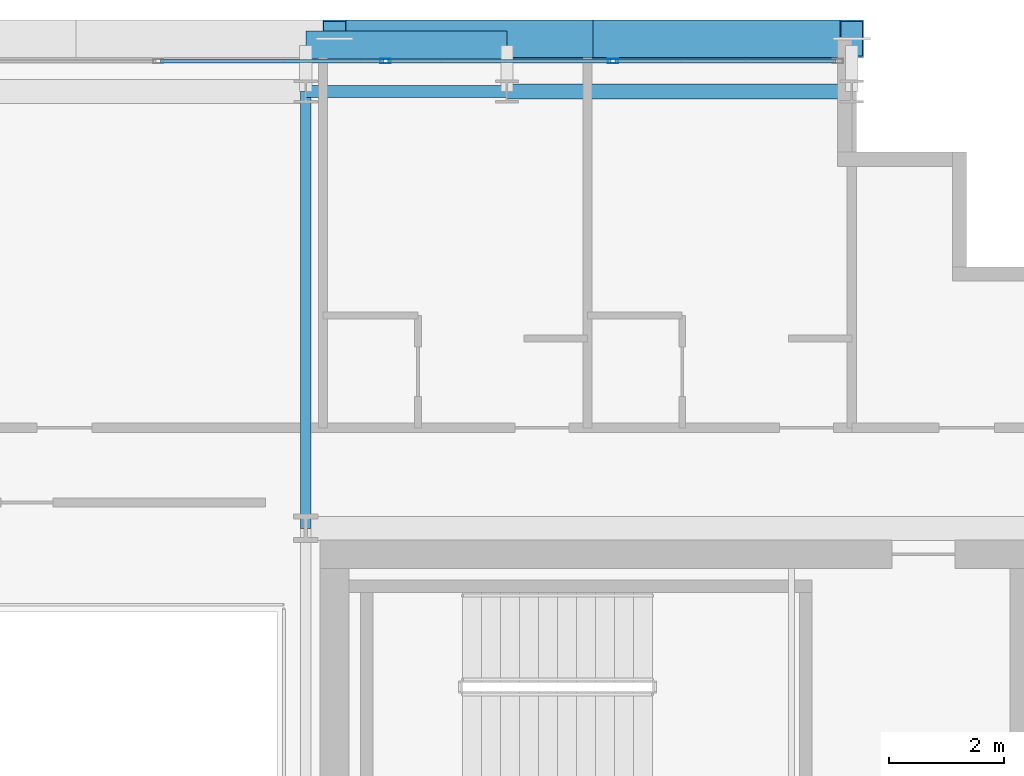
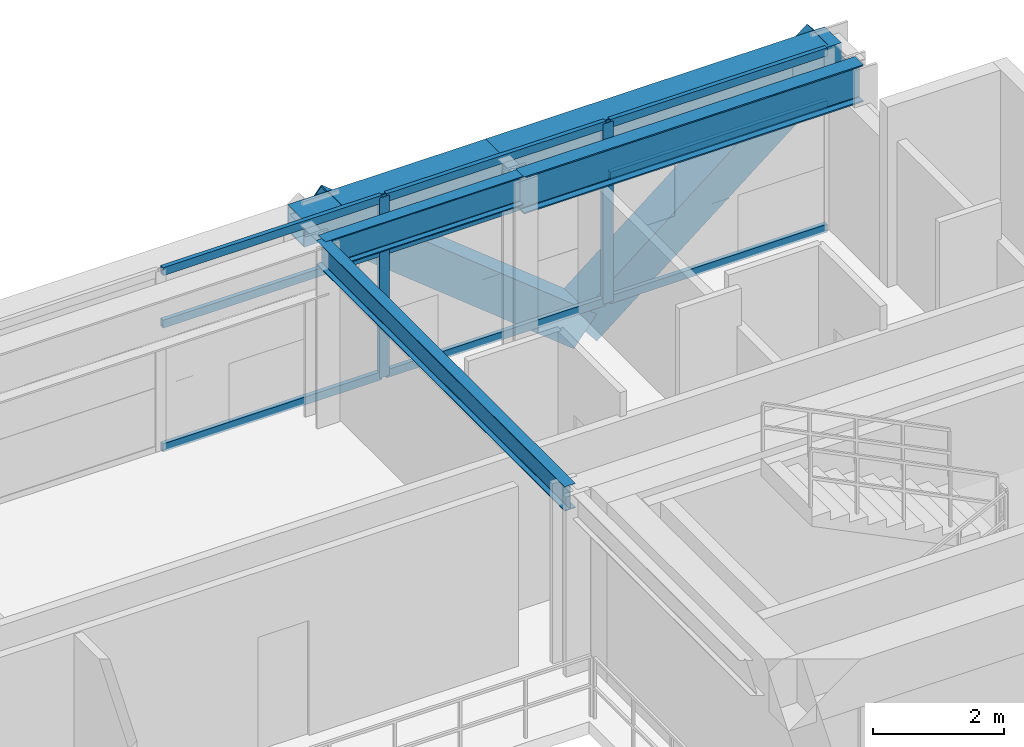
# One storey, part 18 of 32: 13 members, 5 beams, 1 element without a shape of its own.
"""IFC4 building model written with IfcOpenShell, lengths in metres."""

import ifcopenshell
import ifcopenshell.guid

model = None  # the IFC model being written
_history = None  # IfcOwnerHistory: only IFC2X3 demands one
_inside = {}  # id of a spatial element -> (the spatial element, [elements in it])
_under = {}  # id of a project, library or spatial element -> (it, [spatial elements below it])
_declared = {}  # id of a project -> (the project, [libraries it declares])
_typed = {}  # id of a type object -> (the type object, [elements of that type])
_made_of = {}  # id of a material, layer set ... -> (it, [elements and type objects made of it])


def new_model(schema):
    """Start an empty IFC model of exactly this schema.

    Asked for "IFC4X3", IfcOpenShell would pick the latest addendum, in which some entities
    have other attributes; the version numbers below select the first issue.
    IFC2X3 requires an IfcOwnerHistory on every rooted entity: one is made here for all.
    """
    global model, _history
    if schema == "IFC4X3":
        model = ifcopenshell.file(schema_version=(4, 3, 0, 0))
    else:
        model = ifcopenshell.file(schema=schema)
    _inside.clear()
    _under.clear()
    _declared.clear()
    _typed.clear()
    _made_of.clear()
    _history = None
    if model.schema == "IFC2X3":
        org = make("IfcOrganization", Name="unknown")
        user = make(
            "IfcPersonAndOrganization",
            ThePerson=make("IfcPerson", FamilyName="unknown"),
            TheOrganization=org,
        )
        app = make(
            "IfcApplication",
            ApplicationDeveloper=org,
            Version="unknown",
            ApplicationFullName="unknown",
            ApplicationIdentifier="unknown",
        )
        _history = make(
            "IfcOwnerHistory",
            OwningUser=user,
            OwningApplication=app,
            ChangeAction="ADDED",
            CreationDate=0,
        )
    return model


def make(cls, **values):
    """One entity of the class cls with the attributes given. An attribute that is None is left unset."""
    return model.create_entity(
        cls, **{name: value for name, value in values.items() if value is not None}
    )


def rooted(cls, **values):
    """An entity with a GlobalId (a new one), such as an element, a storey or a relation."""
    return make(cls, GlobalId=ifcopenshell.guid.new(), OwnerHistory=_history, **values)


def si_unit(unit_type, name, prefix=None):
    """IfcSIUnit, for example si_unit("LENGTHUNIT", "METRE", prefix="MILLI")."""
    return make("IfcSIUnit", UnitType=unit_type, Prefix=prefix, Name=name)


def assignment(units):
    """IfcUnitAssignment: the units of a project."""
    return None if units is None else make("IfcUnitAssignment", Units=units)


def point(xyz):
    """IfcCartesianPoint."""
    return None if xyz is None else make("IfcCartesianPoint", Coordinates=xyz)


def direction(xyz):
    """IfcDirection."""
    return None if xyz is None else make("IfcDirection", DirectionRatios=xyz)


def frame(location, z_axis=None, x_axis=None):
    """IfcAxis2Placement3D, a coordinate frame: its origin and axes. An axis left out is left unset."""
    return make(
        "IfcAxis2Placement3D",
        Location=point(location),
        Axis=direction(z_axis),
        RefDirection=direction(x_axis),
    )


def frame_2d(location, x_axis=None):
    """IfcAxis2Placement2D, a coordinate frame in the plane: its origin and x axis."""
    return make(
        "IfcAxis2Placement2D", Location=point(location), RefDirection=direction(x_axis)
    )


def origin():
    """The frame at (0, 0, 0) with its axes left unset."""
    return frame((0.0, 0.0, 0.0))


def origin_2d():
    """The frame at (0, 0) in the plane with its x axis left unset."""
    return frame_2d((0.0, 0.0))


def place(relative_to, where):
    """IfcLocalPlacement: puts the frame where relative to a parent placement (None: the world)."""
    return make(
        "IfcLocalPlacement", PlacementRelTo=relative_to, RelativePlacement=where
    )


def context(
    kind, dimensions, precision=None, world=None, true_north=None, identifier=None
):
    """IfcGeometricRepresentationContext, for example the 3D "Model" context."""
    return make(
        "IfcGeometricRepresentationContext",
        ContextIdentifier=identifier,
        ContextType=kind,
        CoordinateSpaceDimension=dimensions,
        Precision=precision,
        WorldCoordinateSystem=world,
        TrueNorth=true_north,
    )


def subcontext(parent, identifier, kind, view, scale=None):
    """IfcGeometricRepresentationSubContext, for example "Body" below "Model"."""
    return make(
        "IfcGeometricRepresentationSubContext",
        ContextIdentifier=identifier,
        ContextType=kind,
        ParentContext=parent,
        TargetScale=scale,
        TargetView=view,
    )


def project(units=None, contexts=None):
    """IfcProject with its units and contexts."""
    return rooted(
        "IfcProject",
        Name="project",
        RepresentationContexts=contexts,
        UnitsInContext=assignment(units),
    )


def spatial(cls, under=None, at=None, **own):
    """A site, building, storey or space (cls), placed at a placement, below another one or the project."""
    s = rooted(cls, ObjectPlacement=at, **own)
    if under is not None:
        _under.setdefault(under.id(), (under, []))[1].append(s)
    return s


def profile(cls, at=None, kind="AREA", **sizes):
    """A parametric profile (cls). Its sizes go by their IFC names, for example OverallWidth=200.0."""
    return make(cls, ProfileType=kind, Position=at, **sizes)


def hollow_rectangle(**sizes):
    """IfcRectangleHollowProfileDef."""
    return profile("IfcRectangleHollowProfileDef", **sizes)


def i_section(**sizes):
    """IfcIShapeProfileDef."""
    return profile("IfcIShapeProfileDef", **sizes)


def extrude(swept, where, along, depth):
    """IfcExtrudedAreaSolid: the profile swept, set in the frame where, extruded along a direction by depth."""
    return make(
        "IfcExtrudedAreaSolid",
        SweptArea=swept,
        Position=where,
        ExtrudedDirection=direction(along),
        Depth=depth,
    )


def shape(context_of_items, identifier, shape_type, items):
    """IfcShapeRepresentation: the items that make up one representation, for example the "Body"."""
    return make(
        "IfcShapeRepresentation",
        ContextOfItems=context_of_items,
        RepresentationIdentifier=identifier,
        RepresentationType=shape_type,
        Items=items,
    )


def source(mapping_origin, context_of_items, identifier, shape_type, items):
    """IfcRepresentationMap: a shape defined once, which mapped items show again and again."""
    return make(
        "IfcRepresentationMap",
        MappingOrigin=mapping_origin,
        MappedRepresentation=shape(context_of_items, identifier, shape_type, items),
    )


def transform(
    local_origin,
    x_axis=None,
    y_axis=None,
    z_axis=None,
    scale=None,
    scale2=None,
    scale3=None,
    uniform=True,
):
    """IfcCartesianTransformationOperator3D, or its non-uniform kind. x_axis, y_axis, z_axis: its Axis1, 2, 3."""
    if uniform:
        return make(
            "IfcCartesianTransformationOperator3D",
            Axis1=direction(x_axis),
            Axis2=direction(y_axis),
            LocalOrigin=point(local_origin),
            Scale=scale,
            Axis3=direction(z_axis),
        )
    return make(
        "IfcCartesianTransformationOperator3DnonUniform",
        Axis1=direction(x_axis),
        Axis2=direction(y_axis),
        LocalOrigin=point(local_origin),
        Scale=scale,
        Axis3=direction(z_axis),
        Scale2=scale2,
        Scale3=scale3,
    )


def mapped(mapping_source, mapping_target):
    """IfcMappedItem: shows the shape of a source again, moved by a transform."""
    return make(
        "IfcMappedItem", MappingSource=mapping_source, MappingTarget=mapping_target
    )


def material(Name=None, Category=None):
    """IfcMaterial."""
    return make("IfcMaterial", Name=Name, Category=Category)


def layer(
    of_material, thickness, ventilated=None, Name=None, Category=None, Priority=None
):
    """IfcMaterialLayer: one layer of a wall or slab, of a material (None: an air gap)."""
    return make(
        "IfcMaterialLayer",
        Material=of_material,
        LayerThickness=thickness,
        IsVentilated=ventilated,
        Name=Name,
        Category=Category,
        Priority=Priority,
    )


def layer_set(layers, Name=None):
    """IfcMaterialLayerSet."""
    return make("IfcMaterialLayerSet", MaterialLayers=layers, LayerSetName=Name)


def material_profile(
    of_material, cross_section, Name=None, Category=None, Priority=None
):
    """IfcMaterialProfile: a cross section and its material."""
    return make(
        "IfcMaterialProfile",
        Name=Name,
        Material=of_material,
        Profile=cross_section,
        Priority=Priority,
        Category=Category,
    )


def profile_set(profiles, Name=None, composite=None):
    """IfcMaterialProfileSet."""
    return make(
        "IfcMaterialProfileSet",
        Name=Name,
        MaterialProfiles=profiles,
        CompositeProfile=composite,
    )


def made_of(thing, what):
    """Note that an element or type object is made of a material, layer set ...; save() writes the relation."""
    if what is not None:
        _made_of.setdefault(what.id(), (what, []))[1].append(thing)
    return thing


def type_object(cls, material=None, **own):
    """A type object (cls), such as IfcWallType, which elements share."""
    return made_of(rooted(cls, **own), material)


def element(
    cls,
    number,
    at=None,
    inside=None,
    cuts=None,
    type_object=None,
    material=None,
    context=None,
    identifier="Body",
    shape_type=None,
    held_by="IfcProductDefinitionShape",
    body=None,
    shapes=None,
    **own,
):
    """One element of the class cls, such as IfcWall. Its Tag is "e" and its number.

    at: its placement. inside: the storey or other place that contains it. cuts: it is an
    opening in that element (IfcRelVoidsElement). A single representation is given by context,
    identifier, shape_type and body (its items); several are given by shapes. held_by: the class
    of the entity that holds the representations. save() writes the other relations.
    """
    e = rooted(cls, Tag="e%d" % number, ObjectPlacement=at, **own)
    if body is not None:
        shapes = [shape(context, identifier, shape_type, body)]
    if shapes is not None:
        e.Representation = make(held_by, Representations=shapes)
    if inside is not None:
        _inside.setdefault(inside.id(), (inside, []))[1].append(e)
    if cuts is not None:
        rooted(
            "IfcRelVoidsElement", RelatingBuildingElement=cuts, RelatedOpeningElement=e
        )
    if type_object is not None:
        _typed.setdefault(type_object.id(), (type_object, []))[1].append(e)
    return made_of(e, material)


def aggregate(whole, parts):
    """IfcRelAggregates: a whole, such as a stair, and the parts it consists of."""
    return rooted("IfcRelAggregates", RelatingObject=whole, RelatedObjects=parts)


def save(model, path):
    """Write the relations noted so far, then the file.

    IfcRelAggregates (storeys below a building ...), IfcRelContainedInSpatialStructure (elements
    in a storey), IfcRelDefinesByType, IfcRelAssociatesMaterial and IfcRelDeclares: one each for
    every whole, place, type object, material and project.
    """
    for whole, parts in _under.values():
        aggregate(whole, parts)
    for where, things in _inside.values():
        rooted(
            "IfcRelContainedInSpatialStructure",
            RelatedElements=things,
            RelatingStructure=where,
        )
    for kind, things in _typed.values():
        rooted("IfcRelDefinesByType", RelatedObjects=things, RelatingType=kind)
    for what, things in _made_of.values():
        rooted("IfcRelAssociatesMaterial", RelatedObjects=things, RelatingMaterial=what)
    for by, libraries in _declared.values():
        rooted("IfcRelDeclares", RelatingContext=by, RelatedDefinitions=libraries)
    model.write(path)


model = new_model("IFC4")

# Units and contexts
model_context = context("Model", 3, precision=1e-05, world=origin(), true_north=direction((0.0, 1.0)))
body_context = subcontext(model_context, "Body", "Model", "MODEL_VIEW")
ifc_project = project(units=[si_unit("LENGTHUNIT", "METRE"), si_unit("AREAUNIT", "SQUARE_METRE"), si_unit("VOLUMEUNIT", "CUBIC_METRE"), si_unit("PLANEANGLEUNIT", "RADIAN"), si_unit("MASSUNIT", "GRAM", prefix="KILO")], contexts=[model_context])

# Site, building, storey
site_placement = place(None, origin())
site = spatial("IfcSite", under=ifc_project, at=site_placement, CompositionType="ELEMENT")
building_placement = place(site_placement, origin())
building = spatial("IfcBuilding", under=site, at=building_placement, Name="Ocotamira Hotel", CompositionType="ELEMENT")
storey_placement = place(building_placement, frame((0.0, 0.0, 177.60009765625)))
storey = spatial("IfcBuildingStorey", under=building, at=storey_placement, Name="L44", CompositionType="ELEMENT", Elevation=177.60009765625)

# Beams
ifc_material_1 = material(Name="Steel ASTM A992 Grade 50", Category="steel")
ifc_material_profile_1 = material_profile(ifc_material_1, i_section(OverallWidth=0.256103515625, OverallDepth=0.693115234375, WebThickness=0.014404296875, FlangeThickness=0.023681640625, FilletRadius=0.01611328125, at=origin_2d()), Name="W27X114")
ifc_profile_set_1 = profile_set([ifc_material_profile_1], Name="Steel ASTM A992 Grade 50")
beam_type_1 = type_object("IfcBeamType", Name="BM-PRIM-W27X114", PredefinedType="BEAM", material=ifc_profile_set_1)
shared_shape_1 = source(origin(), body_context, "Body", "SweptSolid", [
    extrude(i_section(OverallWidth=0.256103515625, OverallDepth=0.693115234375, WebThickness=0.014404296875, FlangeThickness=0.023681640625, FilletRadius=0.01611328125, at=origin_2d()), origin(), (0.0, 0.0, 1.0), 6.0),
])
beam_1_placement = place(storey_placement, frame((44.0, 45.050048828125, 3.0234375), z_axis=(1.0, 0.0, 0.0), x_axis=(0.0, 1.0, 0.0)))
element("IfcBeam", 1, at=beam_1_placement, inside=storey, type_object=beam_type_1, Name="L44 Girder Y45.05 X44-50", PredefinedType="BEAM", context=body_context, shape_type="MappedRepresentation", body=[
    mapped(shared_shape_1, transform((0.0, 0.0, 0.0), scale=1.0)),
])
ifc_material_profile_2 = material_profile(ifc_material_1, i_section(OverallWidth=0.2099609375, OverallDepth=0.537109375, WebThickness=0.010986328125, FlangeThickness=0.017333984375, FilletRadius=0.012939453125, at=origin_2d()), Name="W21X68")
ifc_profile_set_2 = profile_set([ifc_material_profile_2], Name="Steel ASTM A992 Grade 50")
beam_type_2 = type_object("IfcBeamType", Name="BM-SEC-W21X68", PredefinedType="JOIST", material=ifc_profile_set_2)
shared_shape_2 = source(origin(), body_context, "Body", "SweptSolid", [
    extrude(i_section(OverallWidth=0.2099609375, OverallDepth=0.537109375, WebThickness=0.010986328125, FlangeThickness=0.017333984375, FilletRadius=0.012939453125, at=origin_2d()), origin(), (0.0, 0.0, 1.0), 3.5),
])
beam_2_placement = place(storey_placement, frame((40.5, 45.050048828125, 3.101318359375), z_axis=(1.0, 0.0, 0.0), x_axis=(0.0, 1.0, 0.0)))
element("IfcBeam", 2, at=beam_2_placement, inside=storey, type_object=beam_type_2, Name="L44 Girder Y45.05 X40.5-44", PredefinedType="JOIST", context=body_context, shape_type="MappedRepresentation", body=[
    mapped(shared_shape_2, transform((0.0, 0.0, 0.0), scale=1.0)),
])
ifc_material_2 = material(Name="Steel ASTM A500 Grade C", Category="steel")
ifc_material_profile_3 = material_profile(ifc_material_2, hollow_rectangle(XDim=0.5, YDim=0.5, WallThickness=0.02001953125, at=origin_2d()), Name="HSS500X500X20")
ifc_profile_set_3 = profile_set([ifc_material_profile_3], Name="Steel ASTM A500 Grade C")
beam_type_3 = type_object("IfcBeamType", Name="BM-SPAN-HSS500", PredefinedType="USERDEFINED", material=ifc_profile_set_3)
shared_shape_3 = source(origin(), body_context, "Body", "SweptSolid", [
    extrude(hollow_rectangle(XDim=0.5, YDim=0.5, WallThickness=0.02001953125, at=origin_2d()), origin(), (0.0, 0.0, 1.0), 6.0),
])
beam_3_placement = place(storey_placement, frame((44.0, 45.85009765625, 3.119873046875), z_axis=(1.0, 0.0, 0.0), x_axis=(0.0, 1.0, 0.0)))
element("IfcBeam", 3, at=beam_3_placement, inside=storey, type_object=beam_type_3, Name="L44 Edge Spandrel N X44-50", ObjectType="SPANDREL", PredefinedType="USERDEFINED", context=body_context, shape_type="MappedRepresentation", body=[
    mapped(shared_shape_3, transform((0.0, 0.0, 0.0), scale=1.0)),
])
shared_shape_4 = source(origin(), body_context, "Body", "SweptSolid", [
    extrude(hollow_rectangle(XDim=0.5, YDim=0.5, WallThickness=0.02001953125, at=origin_2d()), origin(), (0.0, 0.0, 1.0), 3.5),
])
beam_4_placement = place(storey_placement, frame((40.5, 45.85009765625, 3.119873046875), z_axis=(1.0, 0.0, 0.0), x_axis=(0.0, 1.0, 0.0)))
element("IfcBeam", 4, at=beam_4_placement, inside=storey, type_object=beam_type_3, Name="L44 Edge Spandrel N X40.5-44", ObjectType="SPANDREL", PredefinedType="USERDEFINED", context=body_context, shape_type="MappedRepresentation", body=[
    mapped(shared_shape_4, transform((0.0, 0.0, 0.0), scale=1.0)),
])
ifc_material_profile_4 = material_profile(ifc_material_1, i_section(OverallWidth=0.18994140625, OverallDepth=0.45703125, WebThickness=0.009033203125, FlangeThickness=0.014404296875, FilletRadius=0.010009765625, at=origin_2d()), Name="W18X50")
ifc_profile_set_4 = profile_set([ifc_material_profile_4], Name="Steel ASTM A992 Grade 50")
beam_type_4 = type_object("IfcBeamType", Name="BM-SEC-W18X50", PredefinedType="JOIST", material=ifc_profile_set_4)
shared_shape_5 = source(origin(), body_context, "Body", "SweptSolid", [
    extrude(i_section(OverallWidth=0.18994140625, OverallDepth=0.45703125, WebThickness=0.009033203125, FlangeThickness=0.014404296875, FilletRadius=0.010009765625, at=origin_2d()), origin(), (0.0, 0.0, 1.0), 7.60009765625),
])
beam_5_placement = place(storey_placement, frame((40.5, 37.449951171875, 3.141357421875), z_axis=(0.0, 1.0, 0.0), x_axis=(-1.0, 0.0, 0.0)))
element("IfcBeam", 5, at=beam_5_placement, inside=storey, type_object=beam_type_4, Name="L44 Beam X40.5 Y37.45-45.05", PredefinedType="JOIST", context=body_context, shape_type="MappedRepresentation", body=[
    mapped(shared_shape_5, transform((0.0, 0.0, 0.0), scale=1.0)),
])

# Members
ifc_material_3 = material(Name="Pale-metal coated steel ASTM A913 Grade 65", Category="steel")
ifc_material_profile_5 = material_profile(ifc_material_3, hollow_rectangle(XDim=0.64990234375, YDim=0.64990234375, WallThickness=0.02197265625, at=origin_2d()), Name="BOX650X650X22")
ifc_profile_set_5 = profile_set([ifc_material_profile_5], Name="Pale-metal coated steel ASTM A913 Grade 65")
member_type_1 = type_object("IfcMemberType", Name="MEM-EXO-BOX650", PredefinedType="BRACE", material=ifc_profile_set_5)
shared_shape_6 = source(origin(), body_context, "Body", "SweptSolid", [
    extrude(hollow_rectangle(XDim=0.64990234375, YDim=0.64990234375, WallThickness=0.02197265625, at=origin_2d()), origin(), (0.0, 0.0, 1.0), 5.7626953125),
])
for number, where, z_axis, x_axis, name in (
    (6, (45.5, 45.969970703125, -0.47998046875), (-0.780881208953, 0.0, 0.624679547852), (0.0, -1.0, 0.0), "L44 Exoskeleton Diagrid N3.1"),
    (7, (45.5, 45.969970703125, -0.47998046875), (0.780881208953, 0.0, 0.624679547852), (0.0, 1.0, 0.0), "L44 Exoskeleton Diagrid N3.2"),
):
    element("IfcMember", number, at=place(storey_placement, frame(where, z_axis=z_axis, x_axis=x_axis)), inside=storey, type_object=member_type_1, Name=name, PredefinedType="BRACE", context=body_context, shape_type="MappedRepresentation", body=[
        mapped(shared_shape_6, transform((0.0, 0.0, 0.0), scale=1.0)),
    ])

# Curtain wall, members
ifc_material_4 = material(Name="Anodised pale-metal aluminium and solar glass", Category="aluminium")
ifc_layer = layer(ifc_material_4, 0.199951171875)
ifc_layer_set = layer_set([ifc_layer], Name="Anodised pale-metal aluminium and solar glass")
curtain_wall_type = type_object("IfcCurtainWallType", Name="CW-SYS4-Z3", PredefinedType="NOTDEFINED", material=ifc_layer_set)
curtain_wall_placement = place(storey_placement, origin())
curtain_wall = element("IfcCurtainWall", 8, at=curtain_wall_placement, inside=storey, type_object=curtain_wall_type, Name="L44 Curtain Wall CW-4 CW-L44-N", PredefinedType="NOTDEFINED")
ifc_material_5 = material(Name="Anodised pale-metal aluminium 6063-T6", Category="aluminium")
ifc_material_profile_6 = material_profile(ifc_material_5, hollow_rectangle(XDim=0.074951171875, YDim=0.14990234375, WallThickness=0.006103515625, at=origin_2d()), Name="HSS150X75X6")
ifc_profile_set_6 = profile_set([ifc_material_profile_6], Name="Anodised pale-metal aluminium 6063-T6")
member_type_2 = type_object("IfcMemberType", Name="CWT-150X75", PredefinedType="USERDEFINED", material=ifc_profile_set_6)
shared_shape_7 = source(origin(), body_context, "Body", "SweptSolid", [
    extrude(hollow_rectangle(XDim=0.074951171875, YDim=0.14990234375, WallThickness=0.006103515625, at=origin_2d()), origin(), (0.0, 0.0, 1.0), 3.83544921875),
])
member_1_placement = place(storey_placement, frame((45.884521484375, 45.580078125, 0.037353515625), z_axis=(1.0, 0.0, 0.0), x_axis=(0.0, 1.0, 0.0)))
member_1 = element("IfcMember", 9, at=member_1_placement, type_object=member_type_2, Name="CW-4 transom 9.1", ObjectType="TRANSOM", PredefinedType="USERDEFINED", context=body_context, shape_type="MappedRepresentation", body=[
    mapped(shared_shape_7, transform((0.0, 0.0, 0.0), scale=1.0)),
])
member_2_placement = place(storey_placement, frame((45.884521484375, 45.580078125, 2.349853515625), z_axis=(1.0, 0.0, 0.0), x_axis=(0.0, 1.0, 0.0)))
member_2 = element("IfcMember", 10, at=member_2_placement, type_object=member_type_2, Name="CW-4 transom 9.2", ObjectType="TRANSOM", PredefinedType="USERDEFINED", context=body_context, shape_type="MappedRepresentation", body=[
    mapped(shared_shape_7, transform((0.0, 0.0, 0.0), scale=1.0)),
])
member_3_placement = place(storey_placement, frame((45.884521484375, 45.580078125, 3.33251953125), z_axis=(1.0, 0.0, 0.0), x_axis=(0.0, 1.0, 0.0)))
member_3 = element("IfcMember", 11, at=member_3_placement, type_object=member_type_2, Name="CW-4 transom 9.3", ObjectType="TRANSOM", PredefinedType="USERDEFINED", context=body_context, shape_type="MappedRepresentation", body=[
    mapped(shared_shape_7, transform((0.0, 0.0, 0.0), scale=1.0)),
])
shared_shape_8 = source(origin(), body_context, "Body", "SweptSolid", [
    extrude(hollow_rectangle(XDim=0.074951171875, YDim=0.14990234375, WallThickness=0.006103515625, at=origin_2d()), origin(), (0.0, 0.0, 1.0), 3.87548828125),
])
member_4_placement = place(storey_placement, frame((37.973388671875, 45.580078125, 0.037353515625), z_axis=(1.0, 0.0, 0.0), x_axis=(0.0, 1.0, 0.0)))
member_4 = element("IfcMember", 12, at=member_4_placement, type_object=member_type_2, Name="CW-4 transom 7.1", ObjectType="TRANSOM", PredefinedType="USERDEFINED", context=body_context, shape_type="MappedRepresentation", body=[
    mapped(shared_shape_8, transform((0.0, 0.0, 0.0), scale=1.0)),
])
member_5_placement = place(storey_placement, frame((37.973388671875, 45.580078125, 2.349853515625), z_axis=(1.0, 0.0, 0.0), x_axis=(0.0, 1.0, 0.0)))
member_5 = element("IfcMember", 13, at=member_5_placement, type_object=member_type_2, Name="CW-4 transom 7.2", ObjectType="TRANSOM", PredefinedType="USERDEFINED", context=body_context, shape_type="MappedRepresentation", body=[
    mapped(shared_shape_8, transform((0.0, 0.0, 0.0), scale=1.0)),
])
member_6_placement = place(storey_placement, frame((37.973388671875, 45.580078125, 3.33251953125), z_axis=(1.0, 0.0, 0.0), x_axis=(0.0, 1.0, 0.0)))
member_6 = element("IfcMember", 14, at=member_6_placement, type_object=member_type_2, Name="CW-4 transom 7.3", ObjectType="TRANSOM", PredefinedType="USERDEFINED", context=body_context, shape_type="MappedRepresentation", body=[
    mapped(shared_shape_8, transform((0.0, 0.0, 0.0), scale=1.0)),
])
member_7_placement = place(storey_placement, frame((41.928955078125, 45.580078125, 0.037353515625), z_axis=(1.0, 0.0, 0.0), x_axis=(0.0, 1.0, 0.0)))
member_7 = element("IfcMember", 15, at=member_7_placement, type_object=member_type_2, Name="CW-4 transom 8.1", ObjectType="TRANSOM", PredefinedType="USERDEFINED", context=body_context, shape_type="MappedRepresentation", body=[
    mapped(shared_shape_8, transform((0.0, 0.0, 0.0), scale=1.0)),
])
member_8_placement = place(storey_placement, frame((41.928955078125, 45.580078125, 2.349853515625), z_axis=(1.0, 0.0, 0.0), x_axis=(0.0, 1.0, 0.0)))
member_8 = element("IfcMember", 16, at=member_8_placement, type_object=member_type_2, Name="CW-4 transom 8.2", ObjectType="TRANSOM", PredefinedType="USERDEFINED", context=body_context, shape_type="MappedRepresentation", body=[
    mapped(shared_shape_8, transform((0.0, 0.0, 0.0), scale=1.0)),
])
member_9_placement = place(storey_placement, frame((41.928955078125, 45.580078125, 3.33251953125), z_axis=(1.0, 0.0, 0.0), x_axis=(0.0, 1.0, 0.0)))
member_9 = element("IfcMember", 17, at=member_9_placement, type_object=member_type_2, Name="CW-4 transom 8.3", ObjectType="TRANSOM", PredefinedType="USERDEFINED", context=body_context, shape_type="MappedRepresentation", body=[
    mapped(shared_shape_8, transform((0.0, 0.0, 0.0), scale=1.0)),
])
ifc_material_profile_7 = material_profile(ifc_material_5, hollow_rectangle(XDim=0.080078125, YDim=0.179931640625, WallThickness=0.006103515625, at=origin_2d()), Name="HSS180X80X6")
ifc_profile_set_7 = profile_set([ifc_material_profile_7], Name="Anodised pale-metal aluminium 6063-T6")
member_type_3 = type_object("IfcMemberType", Name="CWM-180X75", PredefinedType="MULLION", material=ifc_profile_set_7)
shared_shape_9 = source(origin(), body_context, "Body", "SweptSolid", [
    extrude(hollow_rectangle(XDim=0.080078125, YDim=0.179931640625, WallThickness=0.006103515625, at=origin_2d()), origin(), (0.0, 0.0, 1.0), 3.369873046875),
])
member_10_placement = place(storey_placement, frame((41.888916015625, 45.580078125, 0.0), z_axis=(0.0, 0.0, 1.0), x_axis=(0.0, 1.0, 0.0)))
member_10 = element("IfcMember", 18, at=member_10_placement, type_object=member_type_3, Name="CW-4 mullion 8", PredefinedType="MULLION", context=body_context, shape_type="MappedRepresentation", body=[
    mapped(shared_shape_9, transform((0.0, 0.0, 0.0), scale=1.0)),
])
member_11_placement = place(storey_placement, frame((45.844482421875, 45.580078125, 0.0), z_axis=(0.0, 0.0, 1.0), x_axis=(0.0, 1.0, 0.0)))
member_11 = element("IfcMember", 19, at=member_11_placement, type_object=member_type_3, Name="CW-4 mullion 9", PredefinedType="MULLION", context=body_context, shape_type="MappedRepresentation", body=[
    mapped(shared_shape_9, transform((0.0, 0.0, 0.0), scale=1.0)),
])
aggregate(curtain_wall, [member_10, member_11, member_4, member_5, member_6, member_7, member_8, member_9, member_1, member_2, member_3])

save(model, "model.ifc")
